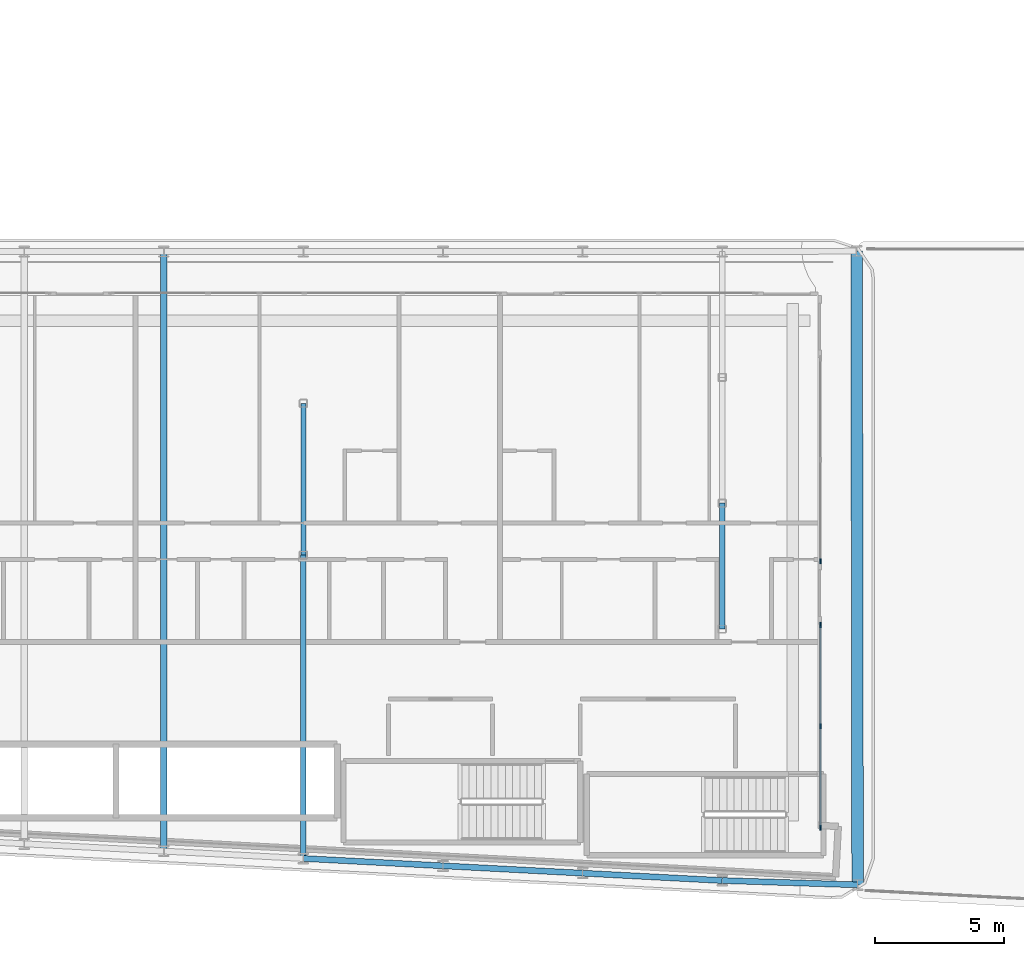
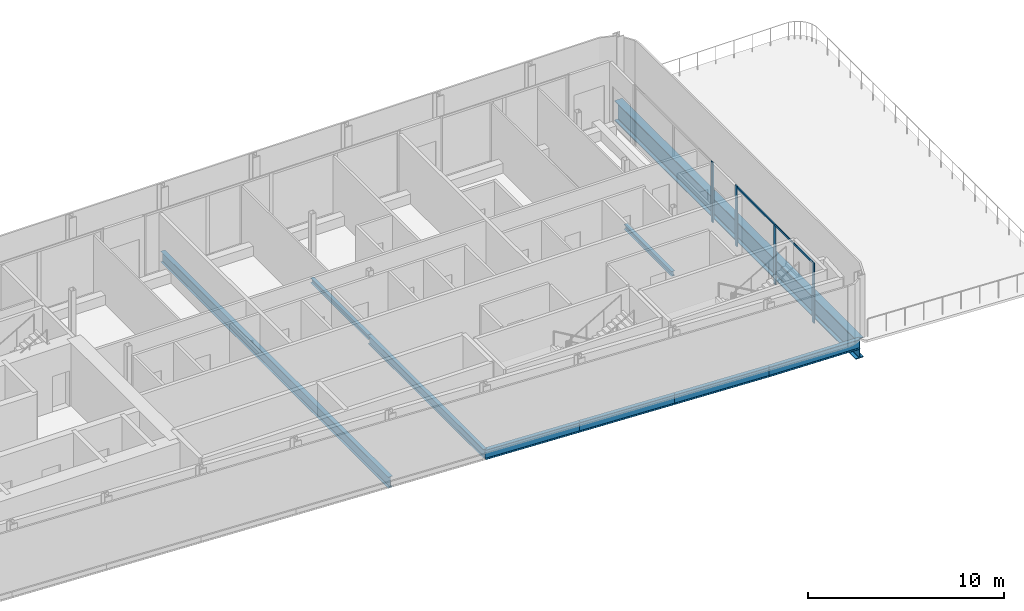
# One storey, part 5 of 27: 9 beams, 5 members, 2 elements without a shape of their own.
"""IFC4 building model written with IfcOpenShell, lengths in metres."""

from ifc_helpers import new_model, si_unit, direction, frame, origin, origin_2d, place, context, subcontext, project, spatial, rectangle, i_section, extrude, material, layer, layer_set, material_profile, profile_set, type_object, element, aggregate, save


model = new_model("IFC4")

# Units and contexts
model_context = context("Model", 3, precision=1e-05, world=origin(), true_north=direction((0.0, 1.0)))
body_context = subcontext(model_context, "Body", "Model", "MODEL_VIEW")
ifc_project = project(units=[si_unit("LENGTHUNIT", "METRE"), si_unit("AREAUNIT", "SQUARE_METRE"), si_unit("VOLUMEUNIT", "CUBIC_METRE"), si_unit("PLANEANGLEUNIT", "RADIAN"), si_unit("MASSUNIT", "GRAM", prefix="KILO")], contexts=[model_context])

# Site, building, storey
site_placement = place(None, origin())
site = spatial("IfcSite", under=ifc_project, at=site_placement, CompositionType="ELEMENT")
building_placement = place(site_placement, origin())
building = spatial("IfcBuilding", under=site, at=building_placement, Name="Kheshtan School and Residences Tower", CompositionType="ELEMENT")
storey_placement = place(building_placement, frame((0.0, 0.0, 152.60009765625)))
storey = spatial("IfcBuildingStorey", under=building, at=storey_placement, Name="L35", CompositionType="ELEMENT", Elevation=152.60009765625)

# Beams
ifc_material_1 = material(Name="Steel ASTM A992 Grade 50", Category="steel")
ifc_material_profile_1 = material_profile(ifc_material_1, i_section(OverallWidth=0.202880859375, OverallDepth=0.302978515625, WebThickness=0.007568359375, FlangeThickness=0.01318359375, FilletRadius=0.009033203125, at=origin_2d()), Name="W310x60")
ifc_profile_set_1 = profile_set([ifc_material_profile_1], Name="Steel ASTM A992 Grade 50")
beam_type_1 = type_object("IfcBeamType", Name="Beam FB1 W310x60 ASTM A992 Grade 50", PredefinedType="BEAM", material=ifc_profile_set_1)
beam_1_placement = place(storey_placement, frame((85.39990234375, 31.0048828125, -0.301513671875), z_axis=(0.0, 1.0, 0.0), x_axis=(-1.0, 0.0, 0.0)))
element("IfcBeam", 1, at=beam_1_placement, inside=storey, type_object=beam_type_1, Name="Floor beam IC", PredefinedType="BEAM", context=body_context, shape_type="SweptSolid", body=[
    extrude(i_section(OverallWidth=0.202880859375, OverallDepth=0.302978515625, WebThickness=0.007568359375, FlangeThickness=0.01318359375, FilletRadius=0.009033203125, at=origin_2d()), origin(), (0.0, 0.0, 1.0), 4.865234375),
])
beam_2_placement = place(storey_placement, frame((69.199951171875, 33.863037109375, -0.301513671875), z_axis=(0.0, 1.0, 0.0), x_axis=(-1.0, 0.0, 0.0)))
element("IfcBeam", 2, at=beam_2_placement, inside=storey, type_object=beam_type_1, Name="Floor beam IC", PredefinedType="BEAM", context=body_context, shape_type="SweptSolid", body=[
    extrude(i_section(OverallWidth=0.202880859375, OverallDepth=0.302978515625, WebThickness=0.007568359375, FlangeThickness=0.01318359375, FilletRadius=0.009033203125, at=origin_2d()), origin(), (0.0, 0.0, 1.0), 5.868896484375),
])
ifc_material_profile_2 = material_profile(ifc_material_1, i_section(OverallWidth=0.208984375, OverallDepth=0.532958984375, WebThickness=0.01025390625, FlangeThickness=0.015625, FilletRadius=0.013916015625, at=origin_2d()), Name="W530x92")
ifc_profile_set_2 = profile_set([ifc_material_profile_2], Name="Steel ASTM A992 Grade 50")
beam_type_2 = type_object("IfcBeamType", Name="Beam FB4 W530x92 ASTM A992 Grade 50", PredefinedType="BEAM", material=ifc_profile_set_2)
beam_3_placement = place(storey_placement, frame((69.199951171875, 22.126953125, -0.41650390625), z_axis=(0.0, 1.0, 0.0), x_axis=(-1.0, 0.0, 0.0)))
element("IfcBeam", 3, at=beam_3_placement, inside=storey, type_object=beam_type_2, Name="Floor beam C014", PredefinedType="BEAM", context=body_context, shape_type="SweptSolid", body=[
    extrude(i_section(OverallWidth=0.208984375, OverallDepth=0.532958984375, WebThickness=0.01025390625, FlangeThickness=0.015625, FilletRadius=0.013916015625, at=origin_2d()), origin(), (0.0, 0.0, 1.0), 11.736083984375),
])
ifc_material_profile_3 = material_profile(ifc_material_1, i_section(OverallWidth=0.2529296875, OverallDepth=0.677978515625, WebThickness=0.01171875, FlangeThickness=0.016357421875, FilletRadius=0.0146484375, at=origin_2d()), Name="W690x125")
ifc_profile_set_3 = profile_set([ifc_material_profile_3], Name="Steel ASTM A992 Grade 50")
beam_type_3 = type_object("IfcBeamType", Name="Beam FB6 W690x125 ASTM A992 Grade 50", PredefinedType="BEAM", material=ifc_profile_set_3)
beam_4_placement = place(storey_placement, frame((63.800048828125, 45.60009765625, -0.489013671875), z_axis=(0.0, -1.0, 0.0), x_axis=(1.0, 0.0, 0.0)))
element("IfcBeam", 4, at=beam_4_placement, inside=storey, type_object=beam_type_3, Name="Floor beam C063", PredefinedType="BEAM", context=body_context, shape_type="SweptSolid", body=[
    extrude(i_section(OverallWidth=0.2529296875, OverallDepth=0.677978515625, WebThickness=0.01171875, FlangeThickness=0.016357421875, FilletRadius=0.0146484375, at=origin_2d()), origin(), (0.0, 0.0, 1.0), 23.189208984375),
])
ifc_material_profile_4 = material_profile(ifc_material_1, i_section(OverallWidth=0.22802734375, OverallDepth=0.60302734375, WebThickness=0.010498046875, FlangeThickness=0.014892578125, FilletRadius=0.013427734375, at=origin_2d()), Name="W610x101")
ifc_profile_set_4 = profile_set([ifc_material_profile_4], Name="Steel ASTM A992 Grade 50")
beam_type_4 = type_object("IfcBeamType", Name="Beam SP2 W610x101 ASTM A992 Grade 50", PredefinedType="BEAM", material=ifc_profile_set_4)
beam_5_placement = place(storey_placement, frame((90.637939453125, 21.10693359375, -0.45166015625), z_axis=(-0.999492198162, 0.031864491426, 0.0), x_axis=(-0.031864491426, -0.999492198162, 0.0)))
element("IfcBeam", 5, at=beam_5_placement, inside=storey, type_object=beam_type_4, Name="Spandrel beam C007-C008", PredefinedType="BEAM", context=body_context, shape_type="SweptSolid", body=[
    extrude(i_section(OverallWidth=0.22802734375, OverallDepth=0.60302734375, WebThickness=0.010498046875, FlangeThickness=0.014892578125, FilletRadius=0.013427734375, at=origin_2d()), origin(), (0.0, 0.0, 1.0), 5.24072265625),
])
for number, where, z_axis, x_axis, name in (
    (6, (85.39990234375, 21.27392578125, -0.45166015625), (-0.998618078766, 0.052554093665, 0.0), (-0.052554093665, -0.998618078766, 0.0), "Spandrel beam C008-C012"),
    (7, (80.0, 21.55810546875, -0.45166015625), (-0.998610961136, 0.052689166816, 0.0), (-0.052689166816, -0.998610961136, 0.0), "Spandrel beam C012-C013"),
):
    element("IfcBeam", number, at=place(storey_placement, frame(where, z_axis=z_axis, x_axis=x_axis)), inside=storey, type_object=beam_type_4, Name=name, PredefinedType="BEAM", context=body_context, shape_type="SweptSolid", body=[
        extrude(i_section(OverallWidth=0.22802734375, OverallDepth=0.60302734375, WebThickness=0.010498046875, FlangeThickness=0.014892578125, FilletRadius=0.013427734375, at=origin_2d()), origin(), (0.0, 0.0, 1.0), 5.407470703125),
    ])
beam_6_placement = place(storey_placement, frame((74.60009765625, 21.843017578125, -0.45166015625), z_axis=(-0.998620571751, 0.05250670125, 0.0), x_axis=(-0.05250670125, -0.998620571751, 0.0)))
element("IfcBeam", 8, at=beam_6_placement, inside=storey, type_object=beam_type_4, Name="Spandrel beam C013-C014", PredefinedType="BEAM", context=body_context, shape_type="SweptSolid", body=[
    extrude(i_section(OverallWidth=0.22802734375, OverallDepth=0.60302734375, WebThickness=0.010498046875, FlangeThickness=0.014892578125, FilletRadius=0.013427734375, at=origin_2d()), origin(), (0.0, 0.0, 1.0), 5.40771484375),
])

# Curtain wall, member
ifc_material_2 = material(Name="Clear low-e glass in thermally broken aluminium frame", Category="aluminium")
ifc_layer = layer(ifc_material_2, 0.199951171875)
ifc_layer_set = layer_set([ifc_layer], Name="Curtain wall CW-L")
curtain_wall_type = type_object("IfcCurtainWallType", Name="Curtain wall CW-L", PredefinedType="NOTDEFINED", material=ifc_layer_set)
curtain_wall_1_placement = place(storey_placement, origin())
curtain_wall_1 = element("IfcCurtainWall", 9, at=curtain_wall_1_placement, inside=storey, type_object=curtain_wall_type, Name="Curtain wall CWL13", PredefinedType="NOTDEFINED")
ifc_material_3 = material(Name="Thermally broken aluminium, dark bronze anodised", Category="aluminium")
ifc_material_profile_5 = material_profile(ifc_material_3, rectangle(XDim=0.06005859375, YDim=0.199951171875, at=origin_2d()), Name="CW-L mullion 60x200")
ifc_profile_set_5 = profile_set([ifc_material_profile_5], Name="Thermally broken aluminium, dark bronze anodised")
member_type_1 = type_object("IfcMemberType", Name="CW-L mullion 60x200", PredefinedType="MULLION", material=ifc_profile_set_5)
member_1_placement = place(storey_placement, frame((89.199951171875, 33.62158203125, 0.0), z_axis=(0.0, 0.0, 1.0), x_axis=(1.0, 0.0, 0.0)))
member_1 = element("IfcMember", 10, at=member_1_placement, type_object=member_type_1, Name="CWL13 mullion 3", PredefinedType="MULLION", context=body_context, shape_type="SweptSolid", body=[
    extrude(rectangle(XDim=0.06005859375, YDim=0.199951171875, at=origin_2d()), origin(), (0.0, 0.0, 1.0), 3.75),
])
aggregate(curtain_wall_1, [member_1])

# Curtain wall, members
curtain_wall_2_placement = place(storey_placement, origin())
curtain_wall_2 = element("IfcCurtainWall", 11, at=curtain_wall_2_placement, inside=storey, type_object=curtain_wall_type, Name="Curtain wall CWL13", PredefinedType="NOTDEFINED")
member_2_placement = place(storey_placement, frame((89.199951171875, 31.16162109375, 0.0), z_axis=(0.0, 0.0, 1.0), x_axis=(1.0, 0.0, 0.0)))
member_2 = element("IfcMember", 12, at=member_2_placement, type_object=member_type_1, Name="CWL13 mullion 1", PredefinedType="MULLION", context=body_context, shape_type="SweptSolid", body=[
    extrude(rectangle(XDim=0.06005859375, YDim=0.199951171875, at=origin_2d()), origin(), (0.0, 0.0, 1.0), 3.75),
])
member_3_placement = place(storey_placement, frame((89.199951171875, 27.2373046875, 0.0), z_axis=(0.0, 0.0, 1.0), x_axis=(1.0, 0.0, 0.0)))
member_3 = element("IfcMember", 13, at=member_3_placement, type_object=member_type_1, Name="CWL13 mullion 2", PredefinedType="MULLION", context=body_context, shape_type="SweptSolid", body=[
    extrude(rectangle(XDim=0.06005859375, YDim=0.199951171875, at=origin_2d()), origin(), (0.0, 0.0, 1.0), 3.6298828125),
])
member_4_placement = place(storey_placement, frame((89.199951171875, 23.31298828125, 0.0), z_axis=(0.0, 0.0, 1.0), x_axis=(1.0, 0.0, 0.0)))
member_4 = element("IfcMember", 14, at=member_4_placement, type_object=member_type_1, Name="CWL13 mullion 3", PredefinedType="MULLION", context=body_context, shape_type="SweptSolid", body=[
    extrude(rectangle(XDim=0.06005859375, YDim=0.199951171875, at=origin_2d()), origin(), (0.0, 0.0, 1.0), 3.75),
])
ifc_material_profile_6 = material_profile(ifc_material_3, rectangle(XDim=0.06005859375, YDim=0.1201171875, at=origin_2d()), Name="CW-L transom 60x120")
ifc_profile_set_6 = profile_set([ifc_material_profile_6], Name="Thermally broken aluminium, dark bronze anodised")
member_type_2 = type_object("IfcMemberType", Name="CW-L transom 60x120", PredefinedType="USERDEFINED", material=ifc_profile_set_6)
member_5_placement = place(storey_placement, frame((89.199951171875, 31.131591796875, 3.68994140625), z_axis=(0.0, -1.0, 0.0), x_axis=(1.0, 0.0, 0.0)))
member_5 = element("IfcMember", 15, at=member_5_placement, type_object=member_type_2, Name="CWL13 transom 1", ObjectType="TRANSOM", PredefinedType="USERDEFINED", context=body_context, shape_type="SweptSolid", body=[
    extrude(rectangle(XDim=0.06005859375, YDim=0.1201171875, at=origin_2d()), origin(), (0.0, 0.0, 1.0), 7.78857421875),
])
aggregate(curtain_wall_2, [member_2, member_3, member_4, member_5])

# Beam
ifc_material_profile_7 = material_profile(ifc_material_1, i_section(OverallWidth=0.449951171875, OverallDepth=1.25, WebThickness=0.02490234375, FlangeThickness=0.044921875, FilletRadius=0.03759765625, at=origin_2d()), Name="WWF1250x546")
ifc_profile_set_7 = profile_set([ifc_material_profile_7], Name="Steel ASTM A992 Grade 50")
beam_type_5 = type_object("IfcBeamType", Name="Transfer girder TG4 WWF1250x546 ASTM A992 Grade 50", PredefinedType="BEAM", material=ifc_profile_set_7)
beam_7_placement = place(storey_placement, frame((90.60107421875, 45.62109375, -0.775146484375), z_axis=(0.001503832579, -0.999998869243, 0.0), x_axis=(0.999998869243, 0.001503832579, 0.0)))
element("IfcBeam", 16, at=beam_7_placement, inside=storey, type_object=beam_type_5, Name="Transfer girder C075-C007", PredefinedType="BEAM", context=body_context, shape_type="SweptSolid", body=[
    extrude(i_section(OverallWidth=0.449951171875, OverallDepth=1.25, WebThickness=0.02490234375, FlangeThickness=0.044921875, FilletRadius=0.03759765625, at=origin_2d()), origin(), (0.0, 0.0, 1.0), 24.51416015625),
])

save(model, "model.ifc")
